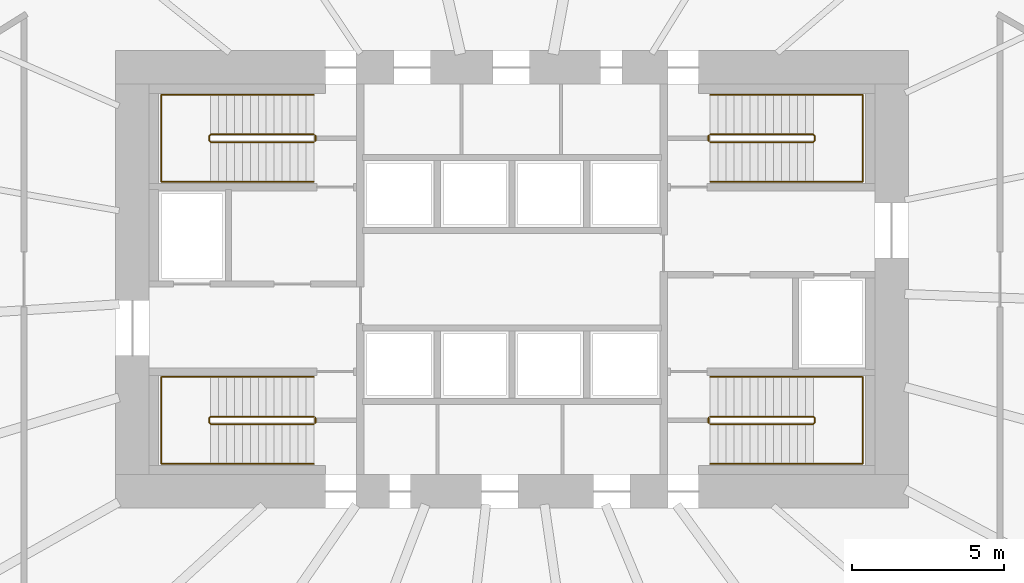
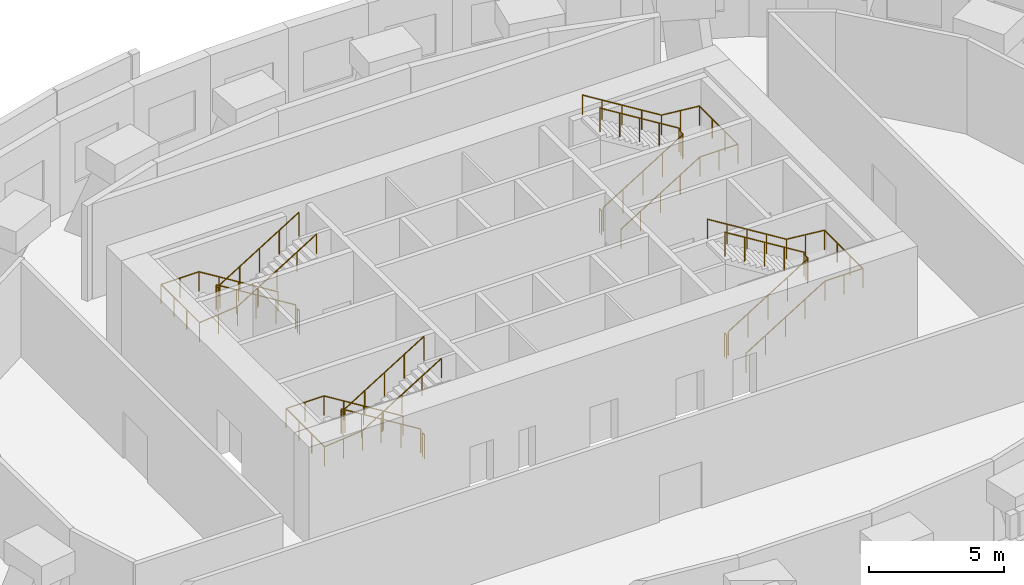
# One storey, part 9 of 9: 12 railings.
"""IFC4 building model written with IfcOpenShell, lengths in metres."""

from ifc_helpers import new_model, si_unit, direction, frame, origin, origin_2d, place, context, subcontext, project, spatial, circle, extrude, material, type_object, element, save


model = new_model("IFC4")

# Units and contexts
model_context = context("Model", 3, precision=1e-05, world=origin(), true_north=direction((0.0, 1.0)))
body_context = subcontext(model_context, "Body", "Model", "MODEL_VIEW")
ifc_project = project(units=[si_unit("LENGTHUNIT", "METRE"), si_unit("AREAUNIT", "SQUARE_METRE"), si_unit("VOLUMEUNIT", "CUBIC_METRE"), si_unit("PLANEANGLEUNIT", "RADIAN"), si_unit("MASSUNIT", "GRAM", prefix="KILO")], contexts=[model_context])

# Site, building, storey
site_placement = place(None, origin())
site = spatial("IfcSite", under=ifc_project, at=site_placement, CompositionType="ELEMENT")
building_placement = place(site_placement, origin())
building = spatial("IfcBuilding", under=site, at=building_placement, Name="Rubra Terraces Tower", CompositionType="ELEMENT")
storey_placement = place(building_placement, frame((0.0, 0.0, 77.10009765625)))
storey = spatial("IfcBuildingStorey", under=building, at=storey_placement, Name="L17", CompositionType="ELEMENT", Elevation=77.10009765625)

# Railings
ifc_material = material(Name="Stainless steel", Category="steel")
railing_type_1 = type_object("IfcRailingType", Name="Core stair guard 1100", PredefinedType="GUARDRAIL", material=ifc_material)
railing_1_placement = place(storey_placement, frame((-6.5, 0.0, 0.16064453125)))
element("IfcRailing", 1, at=railing_1_placement, inside=storey, type_object=railing_type_1, Name="L17 stair S1 guard 1", PredefinedType="GUARDRAIL", context=body_context, shape_type="SweptSolid", body=[
    extrude(circle(Radius=0.02392578125, at=origin_2d()), frame((0.0, 0.0, 1.076171875), z_axis=(-0.8505975674, 0.0, 0.525817248036), x_axis=(0.0, -1.0, 0.0)), (0.0, 0.0, 1.0), 3.9736328125),
    extrude(circle(Radius=0.02392578125, at=origin_2d()), frame((-3.3798828125, 0.0, 3.16552734375), z_axis=(-0.707106781187, -0.707106781187, 0.0), x_axis=(0.707106781187, -0.707106781187, 0.0)), (0.0, 0.0, 1.0), 0.07080078125),
    extrude(circle(Radius=0.02392578125, at=origin_2d()), frame((-3.429931640625, -0.050048828125, 3.16552734375), z_axis=(0.0, -1.0, 0.0), x_axis=(1.0, 0.0, 0.0)), (0.0, 0.0, 1.0), 0.14990234375),
    extrude(circle(Radius=0.02392578125, at=origin_2d()), frame((-3.429931640625, -0.199951171875, 3.16552734375), z_axis=(0.285103605394, -0.285103605394, 0.91511303585), x_axis=(0.707106781187, 0.707106781187, 0.0)), (0.0, 0.0, 1.0), 0.175537109375),
    extrude(circle(Radius=0.02392578125, at=origin_2d()), frame((-3.3798828125, -0.25, 3.326171875), z_axis=(0.8505975674, 0.0, 0.525817248036), x_axis=(0.0, 1.0, 0.0)), (0.0, 0.0, 1.0), 3.9736328125),
    extrude(circle(Radius=0.02099609375, at=origin_2d()), origin(), (0.0, 0.0, 1.0), 1.052001953125),
    extrude(circle(Radius=0.02099609375, at=origin_2d()), frame((-0.844970703125, 0.0, 0.5224609375)), (0.0, 0.0, 1.0), 1.052001953125),
    extrude(circle(Radius=0.02099609375, at=origin_2d()), frame((-1.68994140625, 0.0, 1.044677734375)), (0.0, 0.0, 1.0), 1.052001953125),
    extrude(circle(Radius=0.02099609375, at=origin_2d()), frame((-2.534912109375, 0.0, 1.56689453125)), (0.0, 0.0, 1.0), 1.052001953125),
    extrude(circle(Radius=0.02099609375, at=origin_2d()), frame((-3.3798828125, 0.0, 2.08935546875)), (0.0, 0.0, 1.0), 1.052001953125),
    extrude(circle(Radius=0.02099609375, at=origin_2d()), frame((-3.429931640625, -0.050048828125, 2.08935546875)), (0.0, 0.0, 1.0), 1.052001953125),
    extrude(circle(Radius=0.02099609375, at=origin_2d()), frame((-3.429931640625, -0.199951171875, 2.08935546875)), (0.0, 0.0, 1.0), 1.052001953125),
    extrude(circle(Radius=0.02099609375, at=origin_2d()), frame((-3.3798828125, -0.25, 2.25)), (0.0, 0.0, 1.0), 1.052001953125),
    extrude(circle(Radius=0.02099609375, at=origin_2d()), frame((-2.534912109375, -0.25, 2.7724609375)), (0.0, 0.0, 1.0), 1.052001953125),
    extrude(circle(Radius=0.02099609375, at=origin_2d()), frame((-1.68994140625, -0.25, 3.294677734375)), (0.0, 0.0, 1.0), 1.052001953125),
    extrude(circle(Radius=0.02099609375, at=origin_2d()), frame((-0.844970703125, -0.25, 3.81689453125)), (0.0, 0.0, 1.0), 1.052001953125),
    extrude(circle(Radius=0.02099609375, at=origin_2d()), frame((0.0, -0.25, 4.33935546875)), (0.0, 0.0, 1.0), 1.052001953125),
])
railing_2_placement = place(storey_placement, frame((-6.449951171875, -0.050048828125, 0.0)))
element("IfcRailing", 2, at=railing_2_placement, inside=storey, type_object=railing_type_1, Name="L17 stair S1 guard 2", PredefinedType="GUARDRAIL", context=body_context, shape_type="SweptSolid", body=[
    extrude(circle(Radius=0.02392578125, at=origin_2d()), frame((0.0, 0.0, 1.076171875), z_axis=(0.0, -1.0, 0.0), x_axis=(1.0, 0.0, 0.0)), (0.0, 0.0, 1.0), 0.14990234375),
    extrude(circle(Radius=0.02099609375, at=origin_2d()), origin(), (0.0, 0.0, 1.0), 1.052001953125),
    extrude(circle(Radius=0.02099609375, at=origin_2d()), frame((0.0, -0.14990234375, 0.0)), (0.0, 0.0, 1.0), 1.052001953125),
])
railing_3_placement = place(storey_placement, frame((-6.5, 9.25, 0.16064453125)))
element("IfcRailing", 3, at=railing_3_placement, inside=storey, type_object=railing_type_1, Name="L17 stair S2 guard 1", PredefinedType="GUARDRAIL", context=body_context, shape_type="SweptSolid", body=[
    extrude(circle(Radius=0.02392578125, at=origin_2d()), frame((0.0, 0.0, 1.076171875), z_axis=(-0.8505975674, 0.0, 0.525817248036), x_axis=(0.0, -1.0, 0.0)), (0.0, 0.0, 1.0), 3.9736328125),
    extrude(circle(Radius=0.02392578125, at=origin_2d()), frame((-3.3798828125, 0.0, 3.16552734375), z_axis=(-0.707106781187, -0.707106781187, 0.0), x_axis=(0.707106781187, -0.707106781187, 0.0)), (0.0, 0.0, 1.0), 0.07080078125),
    extrude(circle(Radius=0.02392578125, at=origin_2d()), frame((-3.429931640625, -0.050048828125, 3.16552734375), z_axis=(0.0, -1.0, 0.0), x_axis=(1.0, 0.0, 0.0)), (0.0, 0.0, 1.0), 0.14990234375),
    extrude(circle(Radius=0.02392578125, at=origin_2d()), frame((-3.429931640625, -0.199951171875, 3.16552734375), z_axis=(0.285103605394, -0.285103605394, 0.91511303585), x_axis=(0.707106781187, 0.707106781187, 0.0)), (0.0, 0.0, 1.0), 0.175537109375),
    extrude(circle(Radius=0.02392578125, at=origin_2d()), frame((-3.3798828125, -0.25, 3.326171875), z_axis=(0.8505975674, 0.0, 0.525817248036), x_axis=(0.0, 1.0, 0.0)), (0.0, 0.0, 1.0), 3.9736328125),
    extrude(circle(Radius=0.02099609375, at=origin_2d()), origin(), (0.0, 0.0, 1.0), 1.052001953125),
    extrude(circle(Radius=0.02099609375, at=origin_2d()), frame((-0.844970703125, 0.0, 0.5224609375)), (0.0, 0.0, 1.0), 1.052001953125),
    extrude(circle(Radius=0.02099609375, at=origin_2d()), frame((-1.68994140625, 0.0, 1.044677734375)), (0.0, 0.0, 1.0), 1.052001953125),
    extrude(circle(Radius=0.02099609375, at=origin_2d()), frame((-2.534912109375, 0.0, 1.56689453125)), (0.0, 0.0, 1.0), 1.052001953125),
    extrude(circle(Radius=0.02099609375, at=origin_2d()), frame((-3.3798828125, 0.0, 2.08935546875)), (0.0, 0.0, 1.0), 1.052001953125),
    extrude(circle(Radius=0.02099609375, at=origin_2d()), frame((-3.429931640625, -0.050048828125, 2.08935546875)), (0.0, 0.0, 1.0), 1.052001953125),
    extrude(circle(Radius=0.02099609375, at=origin_2d()), frame((-3.429931640625, -0.199951171875, 2.08935546875)), (0.0, 0.0, 1.0), 1.052001953125),
    extrude(circle(Radius=0.02099609375, at=origin_2d()), frame((-3.3798828125, -0.25, 2.25)), (0.0, 0.0, 1.0), 1.052001953125),
    extrude(circle(Radius=0.02099609375, at=origin_2d()), frame((-2.534912109375, -0.25, 2.7724609375)), (0.0, 0.0, 1.0), 1.052001953125),
    extrude(circle(Radius=0.02099609375, at=origin_2d()), frame((-1.68994140625, -0.25, 3.294677734375)), (0.0, 0.0, 1.0), 1.052001953125),
    extrude(circle(Radius=0.02099609375, at=origin_2d()), frame((-0.844970703125, -0.25, 3.81689453125)), (0.0, 0.0, 1.0), 1.052001953125),
    extrude(circle(Radius=0.02099609375, at=origin_2d()), frame((0.0, -0.25, 4.33935546875)), (0.0, 0.0, 1.0), 1.052001953125),
])
railing_4_placement = place(storey_placement, frame((-6.449951171875, 9.199951171875, 0.0)))
element("IfcRailing", 4, at=railing_4_placement, inside=storey, type_object=railing_type_1, Name="L17 stair S2 guard 2", PredefinedType="GUARDRAIL", context=body_context, shape_type="SweptSolid", body=[
    extrude(circle(Radius=0.02392578125, at=origin_2d()), frame((0.0, 0.0, 1.076171875), z_axis=(0.0, -1.0, 0.0), x_axis=(1.0, 0.0, 0.0)), (0.0, 0.0, 1.0), 0.14990234375),
    extrude(circle(Radius=0.02099609375, at=origin_2d()), origin(), (0.0, 0.0, 1.0), 1.052001953125),
    extrude(circle(Radius=0.02099609375, at=origin_2d()), frame((0.0, -0.14990234375, 0.0)), (0.0, 0.0, 1.0), 1.052001953125),
])
railing_5_placement = place(storey_placement, frame((6.5, 9.0, 0.16064453125)))
element("IfcRailing", 5, at=railing_5_placement, inside=storey, type_object=railing_type_1, Name="L17 stair S3 guard 1", PredefinedType="GUARDRAIL", context=body_context, shape_type="SweptSolid", body=[
    extrude(circle(Radius=0.02392578125, at=origin_2d()), frame((0.0, 0.0, 1.076171875), z_axis=(0.8505975674, 0.0, 0.525817248036), x_axis=(0.0, 1.0, 0.0)), (0.0, 0.0, 1.0), 3.9736328125),
    extrude(circle(Radius=0.02392578125, at=origin_2d()), frame((3.3798828125, 0.0, 3.16552734375), z_axis=(0.707106781187, 0.707106781187, 0.0), x_axis=(-0.707106781187, 0.707106781187, 0.0)), (0.0, 0.0, 1.0), 0.07080078125),
    extrude(circle(Radius=0.02392578125, at=origin_2d()), frame((3.429931640625, 0.050048828125, 3.16552734375), z_axis=(0.0, 1.0, 0.0), x_axis=(-1.0, 0.0, 0.0)), (0.0, 0.0, 1.0), 0.14990234375),
    extrude(circle(Radius=0.02392578125, at=origin_2d()), frame((3.429931640625, 0.199951171875, 3.16552734375), z_axis=(-0.285103605394, 0.285103605394, 0.91511303585), x_axis=(-0.707106781187, -0.707106781187, 0.0)), (0.0, 0.0, 1.0), 0.175537109375),
    extrude(circle(Radius=0.02392578125, at=origin_2d()), frame((3.3798828125, 0.25, 3.326171875), z_axis=(-0.8505975674, 0.0, 0.525817248036), x_axis=(0.0, -1.0, 0.0)), (0.0, 0.0, 1.0), 3.9736328125),
    extrude(circle(Radius=0.02099609375, at=origin_2d()), origin(), (0.0, 0.0, 1.0), 1.052001953125),
    extrude(circle(Radius=0.02099609375, at=origin_2d()), frame((0.844970703125, 0.0, 0.5224609375)), (0.0, 0.0, 1.0), 1.052001953125),
    extrude(circle(Radius=0.02099609375, at=origin_2d()), frame((1.68994140625, 0.0, 1.044677734375)), (0.0, 0.0, 1.0), 1.052001953125),
    extrude(circle(Radius=0.02099609375, at=origin_2d()), frame((2.534912109375, 0.0, 1.56689453125)), (0.0, 0.0, 1.0), 1.052001953125),
    extrude(circle(Radius=0.02099609375, at=origin_2d()), frame((3.3798828125, 0.0, 2.08935546875)), (0.0, 0.0, 1.0), 1.052001953125),
    extrude(circle(Radius=0.02099609375, at=origin_2d()), frame((3.429931640625, 0.050048828125, 2.08935546875)), (0.0, 0.0, 1.0), 1.052001953125),
    extrude(circle(Radius=0.02099609375, at=origin_2d()), frame((3.429931640625, 0.199951171875, 2.08935546875)), (0.0, 0.0, 1.0), 1.052001953125),
    extrude(circle(Radius=0.02099609375, at=origin_2d()), frame((3.3798828125, 0.25, 2.25)), (0.0, 0.0, 1.0), 1.052001953125),
    extrude(circle(Radius=0.02099609375, at=origin_2d()), frame((2.534912109375, 0.25, 2.7724609375)), (0.0, 0.0, 1.0), 1.052001953125),
    extrude(circle(Radius=0.02099609375, at=origin_2d()), frame((1.68994140625, 0.25, 3.294677734375)), (0.0, 0.0, 1.0), 1.052001953125),
    extrude(circle(Radius=0.02099609375, at=origin_2d()), frame((0.844970703125, 0.25, 3.81689453125)), (0.0, 0.0, 1.0), 1.052001953125),
    extrude(circle(Radius=0.02099609375, at=origin_2d()), frame((0.0, 0.25, 4.33935546875)), (0.0, 0.0, 1.0), 1.052001953125),
])
railing_6_placement = place(storey_placement, frame((6.449951171875, 9.050048828125, 0.0)))
element("IfcRailing", 6, at=railing_6_placement, inside=storey, type_object=railing_type_1, Name="L17 stair S3 guard 2", PredefinedType="GUARDRAIL", context=body_context, shape_type="SweptSolid", body=[
    extrude(circle(Radius=0.02392578125, at=origin_2d()), frame((0.0, 0.0, 1.076171875), z_axis=(0.0, 1.0, 0.0), x_axis=(-1.0, 0.0, 0.0)), (0.0, 0.0, 1.0), 0.14990234375),
    extrude(circle(Radius=0.02099609375, at=origin_2d()), origin(), (0.0, 0.0, 1.0), 1.052001953125),
    extrude(circle(Radius=0.02099609375, at=origin_2d()), frame((0.0, 0.14990234375, 0.0)), (0.0, 0.0, 1.0), 1.052001953125),
])
railing_7_placement = place(storey_placement, frame((6.5, -0.25, 0.16064453125)))
element("IfcRailing", 7, at=railing_7_placement, inside=storey, type_object=railing_type_1, Name="L17 stair S4 guard 1", PredefinedType="GUARDRAIL", context=body_context, shape_type="SweptSolid", body=[
    extrude(circle(Radius=0.02392578125, at=origin_2d()), frame((0.0, 0.0, 1.076171875), z_axis=(0.8505975674, 0.0, 0.525817248036), x_axis=(0.0, 1.0, 0.0)), (0.0, 0.0, 1.0), 3.9736328125),
    extrude(circle(Radius=0.02392578125, at=origin_2d()), frame((3.3798828125, 0.0, 3.16552734375), z_axis=(0.707106781187, 0.707106781187, 0.0), x_axis=(-0.707106781187, 0.707106781187, 0.0)), (0.0, 0.0, 1.0), 0.07080078125),
    extrude(circle(Radius=0.02392578125, at=origin_2d()), frame((3.429931640625, 0.050048828125, 3.16552734375), z_axis=(0.0, 1.0, 0.0), x_axis=(-1.0, 0.0, 0.0)), (0.0, 0.0, 1.0), 0.14990234375),
    extrude(circle(Radius=0.02392578125, at=origin_2d()), frame((3.429931640625, 0.199951171875, 3.16552734375), z_axis=(-0.285103605394, 0.285103605394, 0.91511303585), x_axis=(-0.707106781187, -0.707106781187, 0.0)), (0.0, 0.0, 1.0), 0.175537109375),
    extrude(circle(Radius=0.02392578125, at=origin_2d()), frame((3.3798828125, 0.25, 3.326171875), z_axis=(-0.8505975674, 0.0, 0.525817248036), x_axis=(0.0, -1.0, 0.0)), (0.0, 0.0, 1.0), 3.9736328125),
    extrude(circle(Radius=0.02099609375, at=origin_2d()), origin(), (0.0, 0.0, 1.0), 1.052001953125),
    extrude(circle(Radius=0.02099609375, at=origin_2d()), frame((0.844970703125, 0.0, 0.5224609375)), (0.0, 0.0, 1.0), 1.052001953125),
    extrude(circle(Radius=0.02099609375, at=origin_2d()), frame((1.68994140625, 0.0, 1.044677734375)), (0.0, 0.0, 1.0), 1.052001953125),
    extrude(circle(Radius=0.02099609375, at=origin_2d()), frame((2.534912109375, 0.0, 1.56689453125)), (0.0, 0.0, 1.0), 1.052001953125),
    extrude(circle(Radius=0.02099609375, at=origin_2d()), frame((3.3798828125, 0.0, 2.08935546875)), (0.0, 0.0, 1.0), 1.052001953125),
    extrude(circle(Radius=0.02099609375, at=origin_2d()), frame((3.429931640625, 0.050048828125, 2.08935546875)), (0.0, 0.0, 1.0), 1.052001953125),
    extrude(circle(Radius=0.02099609375, at=origin_2d()), frame((3.429931640625, 0.199951171875, 2.08935546875)), (0.0, 0.0, 1.0), 1.052001953125),
    extrude(circle(Radius=0.02099609375, at=origin_2d()), frame((3.3798828125, 0.25, 2.25)), (0.0, 0.0, 1.0), 1.052001953125),
    extrude(circle(Radius=0.02099609375, at=origin_2d()), frame((2.534912109375, 0.25, 2.7724609375)), (0.0, 0.0, 1.0), 1.052001953125),
    extrude(circle(Radius=0.02099609375, at=origin_2d()), frame((1.68994140625, 0.25, 3.294677734375)), (0.0, 0.0, 1.0), 1.052001953125),
    extrude(circle(Radius=0.02099609375, at=origin_2d()), frame((0.844970703125, 0.25, 3.81689453125)), (0.0, 0.0, 1.0), 1.052001953125),
    extrude(circle(Radius=0.02099609375, at=origin_2d()), frame((0.0, 0.25, 4.33935546875)), (0.0, 0.0, 1.0), 1.052001953125),
])
railing_8_placement = place(storey_placement, frame((6.449951171875, -0.199951171875, 0.0)))
element("IfcRailing", 8, at=railing_8_placement, inside=storey, type_object=railing_type_1, Name="L17 stair S4 guard 2", PredefinedType="GUARDRAIL", context=body_context, shape_type="SweptSolid", body=[
    extrude(circle(Radius=0.02392578125, at=origin_2d()), frame((0.0, 0.0, 1.076171875), z_axis=(0.0, 1.0, 0.0), x_axis=(-1.0, 0.0, 0.0)), (0.0, 0.0, 1.0), 0.14990234375),
    extrude(circle(Radius=0.02099609375, at=origin_2d()), origin(), (0.0, 0.0, 1.0), 1.052001953125),
    extrude(circle(Radius=0.02099609375, at=origin_2d()), frame((0.0, 0.14990234375, 0.0)), (0.0, 0.0, 1.0), 1.052001953125),
])
railing_type_2 = type_object("IfcRailingType", Name="Core stair handrail 900", PredefinedType="HANDRAIL", material=ifc_material)
railing_9_placement = place(storey_placement, frame((-6.5, 1.300048828125, 0.16064453125)))
element("IfcRailing", 9, at=railing_9_placement, inside=storey, type_object=railing_type_2, Name="L17 stair S1 handrail 1", PredefinedType="HANDRAIL", context=body_context, shape_type="SweptSolid", body=[
    extrude(circle(Radius=0.02392578125, at=origin_2d()), frame((0.0, 0.0, 0.8759765625), z_axis=(-0.8505975674, 0.0, 0.525817248036), x_axis=(0.0, -1.0, 0.0)), (0.0, 0.0, 1.0), 3.9736328125),
    extrude(circle(Radius=0.02392578125, at=origin_2d()), frame((-3.3798828125, 0.0, 2.96533203125), z_axis=(-1.0, 0.0, 0.0), x_axis=(0.0, -1.0, 0.0)), (0.0, 0.0, 1.0), 1.6201171875),
    extrude(circle(Radius=0.02392578125, at=origin_2d()), frame((-5.0, 0.0, 2.96533203125), z_axis=(0.0, -1.0, 0.0), x_axis=(1.0, 0.0, 0.0)), (0.0, 0.0, 1.0), 2.85009765625),
    extrude(circle(Radius=0.02392578125, at=origin_2d()), frame((-5.0, -2.85009765625, 2.96533203125), z_axis=(0.995119987753, 0.0, 0.098672235073), x_axis=(0.0, 1.0, 0.0)), (0.0, 0.0, 1.0), 1.628173828125),
    extrude(circle(Radius=0.02392578125, at=origin_2d()), frame((-3.3798828125, -2.85009765625, 3.1259765625), z_axis=(0.8505975674, 0.0, 0.525817248036), x_axis=(0.0, 1.0, 0.0)), (0.0, 0.0, 1.0), 3.9736328125),
    extrude(circle(Radius=0.02099609375, at=origin_2d()), origin(), (0.0, 0.0, 1.0), 0.851806640625),
    extrude(circle(Radius=0.02099609375, at=origin_2d()), frame((-0.844970703125, 0.0, 0.5224609375)), (0.0, 0.0, 1.0), 0.851806640625),
    extrude(circle(Radius=0.02099609375, at=origin_2d()), frame((-1.68994140625, 0.0, 1.044677734375)), (0.0, 0.0, 1.0), 0.851806640625),
    extrude(circle(Radius=0.02099609375, at=origin_2d()), frame((-2.534912109375, 0.0, 1.56689453125)), (0.0, 0.0, 1.0), 0.851806640625),
    extrude(circle(Radius=0.02099609375, at=origin_2d()), frame((-3.3798828125, 0.0, 2.08935546875)), (0.0, 0.0, 1.0), 0.851806640625),
    extrude(circle(Radius=0.02099609375, at=origin_2d()), frame((-4.18994140625, 0.0, 2.08935546875)), (0.0, 0.0, 1.0), 0.851806640625),
    extrude(circle(Radius=0.02099609375, at=origin_2d()), frame((-5.0, 0.0, 2.08935546875)), (0.0, 0.0, 1.0), 0.851806640625),
    extrude(circle(Radius=0.02099609375, at=origin_2d()), frame((-5.0, -0.949951171875, 2.08935546875)), (0.0, 0.0, 1.0), 0.851806640625),
    extrude(circle(Radius=0.02099609375, at=origin_2d()), frame((-5.0, -1.900146484375, 2.08935546875)), (0.0, 0.0, 1.0), 0.851806640625),
    extrude(circle(Radius=0.02099609375, at=origin_2d()), frame((-5.0, -2.85009765625, 2.08935546875)), (0.0, 0.0, 1.0), 0.851806640625),
    extrude(circle(Radius=0.02099609375, at=origin_2d()), frame((-4.18994140625, -2.85009765625, 2.169677734375)), (0.0, 0.0, 1.0), 0.851806640625),
    extrude(circle(Radius=0.02099609375, at=origin_2d()), frame((-3.3798828125, -2.85009765625, 2.25)), (0.0, 0.0, 1.0), 0.851806640625),
    extrude(circle(Radius=0.02099609375, at=origin_2d()), frame((-2.534912109375, -2.85009765625, 2.7724609375)), (0.0, 0.0, 1.0), 0.851806640625),
    extrude(circle(Radius=0.02099609375, at=origin_2d()), frame((-1.68994140625, -2.85009765625, 3.294677734375)), (0.0, 0.0, 1.0), 0.851806640625),
    extrude(circle(Radius=0.02099609375, at=origin_2d()), frame((-0.844970703125, -2.85009765625, 3.81689453125)), (0.0, 0.0, 1.0), 0.851806640625),
    extrude(circle(Radius=0.02099609375, at=origin_2d()), frame((0.0, -2.85009765625, 4.33935546875)), (0.0, 0.0, 1.0), 0.851806640625),
])
railing_10_placement = place(storey_placement, frame((-6.5, 10.550048828125, 0.16064453125)))
element("IfcRailing", 10, at=railing_10_placement, inside=storey, type_object=railing_type_2, Name="L17 stair S2 handrail 1", PredefinedType="HANDRAIL", context=body_context, shape_type="SweptSolid", body=[
    extrude(circle(Radius=0.02392578125, at=origin_2d()), frame((0.0, 0.0, 0.8759765625), z_axis=(-0.8505975674, 0.0, 0.525817248036), x_axis=(0.0, -1.0, 0.0)), (0.0, 0.0, 1.0), 3.9736328125),
    extrude(circle(Radius=0.02392578125, at=origin_2d()), frame((-3.3798828125, 0.0, 2.96533203125), z_axis=(-1.0, 0.0, 0.0), x_axis=(0.0, -1.0, 0.0)), (0.0, 0.0, 1.0), 1.6201171875),
    extrude(circle(Radius=0.02392578125, at=origin_2d()), frame((-5.0, 0.0, 2.96533203125), z_axis=(0.0, -1.0, 0.0), x_axis=(1.0, 0.0, 0.0)), (0.0, 0.0, 1.0), 2.85009765625),
    extrude(circle(Radius=0.02392578125, at=origin_2d()), frame((-5.0, -2.85009765625, 2.96533203125), z_axis=(0.995119987753, 0.0, 0.098672235073), x_axis=(0.0, 1.0, 0.0)), (0.0, 0.0, 1.0), 1.628173828125),
    extrude(circle(Radius=0.02392578125, at=origin_2d()), frame((-3.3798828125, -2.85009765625, 3.1259765625), z_axis=(0.8505975674, 0.0, 0.525817248036), x_axis=(0.0, 1.0, 0.0)), (0.0, 0.0, 1.0), 3.9736328125),
    extrude(circle(Radius=0.02099609375, at=origin_2d()), origin(), (0.0, 0.0, 1.0), 0.851806640625),
    extrude(circle(Radius=0.02099609375, at=origin_2d()), frame((-0.844970703125, 0.0, 0.5224609375)), (0.0, 0.0, 1.0), 0.851806640625),
    extrude(circle(Radius=0.02099609375, at=origin_2d()), frame((-1.68994140625, 0.0, 1.044677734375)), (0.0, 0.0, 1.0), 0.851806640625),
    extrude(circle(Radius=0.02099609375, at=origin_2d()), frame((-2.534912109375, 0.0, 1.56689453125)), (0.0, 0.0, 1.0), 0.851806640625),
    extrude(circle(Radius=0.02099609375, at=origin_2d()), frame((-3.3798828125, 0.0, 2.08935546875)), (0.0, 0.0, 1.0), 0.851806640625),
    extrude(circle(Radius=0.02099609375, at=origin_2d()), frame((-4.18994140625, 0.0, 2.08935546875)), (0.0, 0.0, 1.0), 0.851806640625),
    extrude(circle(Radius=0.02099609375, at=origin_2d()), frame((-5.0, 0.0, 2.08935546875)), (0.0, 0.0, 1.0), 0.851806640625),
    extrude(circle(Radius=0.02099609375, at=origin_2d()), frame((-5.0, -0.949951171875, 2.08935546875)), (0.0, 0.0, 1.0), 0.851806640625),
    extrude(circle(Radius=0.02099609375, at=origin_2d()), frame((-5.0, -1.900146484375, 2.08935546875)), (0.0, 0.0, 1.0), 0.851806640625),
    extrude(circle(Radius=0.02099609375, at=origin_2d()), frame((-5.0, -2.85009765625, 2.08935546875)), (0.0, 0.0, 1.0), 0.851806640625),
    extrude(circle(Radius=0.02099609375, at=origin_2d()), frame((-4.18994140625, -2.85009765625, 2.169677734375)), (0.0, 0.0, 1.0), 0.851806640625),
    extrude(circle(Radius=0.02099609375, at=origin_2d()), frame((-3.3798828125, -2.85009765625, 2.25)), (0.0, 0.0, 1.0), 0.851806640625),
    extrude(circle(Radius=0.02099609375, at=origin_2d()), frame((-2.534912109375, -2.85009765625, 2.7724609375)), (0.0, 0.0, 1.0), 0.851806640625),
    extrude(circle(Radius=0.02099609375, at=origin_2d()), frame((-1.68994140625, -2.85009765625, 3.294677734375)), (0.0, 0.0, 1.0), 0.851806640625),
    extrude(circle(Radius=0.02099609375, at=origin_2d()), frame((-0.844970703125, -2.85009765625, 3.81689453125)), (0.0, 0.0, 1.0), 0.851806640625),
    extrude(circle(Radius=0.02099609375, at=origin_2d()), frame((0.0, -2.85009765625, 4.33935546875)), (0.0, 0.0, 1.0), 0.851806640625),
])
railing_11_placement = place(storey_placement, frame((6.5, 7.699951171875, 0.16064453125)))
element("IfcRailing", 11, at=railing_11_placement, inside=storey, type_object=railing_type_2, Name="L17 stair S3 handrail 1", PredefinedType="HANDRAIL", context=body_context, shape_type="SweptSolid", body=[
    extrude(circle(Radius=0.02392578125, at=origin_2d()), frame((0.0, 0.0, 0.8759765625), z_axis=(0.8505975674, 0.0, 0.525817248036), x_axis=(0.0, 1.0, 0.0)), (0.0, 0.0, 1.0), 3.9736328125),
    extrude(circle(Radius=0.02392578125, at=origin_2d()), frame((3.3798828125, 0.0, 2.96533203125), z_axis=(1.0, 0.0, 0.0), x_axis=(0.0, 1.0, 0.0)), (0.0, 0.0, 1.0), 1.6201171875),
    extrude(circle(Radius=0.02392578125, at=origin_2d()), frame((5.0, 0.0, 2.96533203125), z_axis=(0.0, 1.0, 0.0), x_axis=(-1.0, 0.0, 0.0)), (0.0, 0.0, 1.0), 2.85009765625),
    extrude(circle(Radius=0.02392578125, at=origin_2d()), frame((5.0, 2.85009765625, 2.96533203125), z_axis=(-0.995119987753, 0.0, 0.098672235073), x_axis=(0.0, -1.0, 0.0)), (0.0, 0.0, 1.0), 1.628173828125),
    extrude(circle(Radius=0.02392578125, at=origin_2d()), frame((3.3798828125, 2.85009765625, 3.1259765625), z_axis=(-0.8505975674, 0.0, 0.525817248036), x_axis=(0.0, -1.0, 0.0)), (0.0, 0.0, 1.0), 3.9736328125),
    extrude(circle(Radius=0.02099609375, at=origin_2d()), origin(), (0.0, 0.0, 1.0), 0.851806640625),
    extrude(circle(Radius=0.02099609375, at=origin_2d()), frame((0.844970703125, 0.0, 0.5224609375)), (0.0, 0.0, 1.0), 0.851806640625),
    extrude(circle(Radius=0.02099609375, at=origin_2d()), frame((1.68994140625, 0.0, 1.044677734375)), (0.0, 0.0, 1.0), 0.851806640625),
    extrude(circle(Radius=0.02099609375, at=origin_2d()), frame((2.534912109375, 0.0, 1.56689453125)), (0.0, 0.0, 1.0), 0.851806640625),
    extrude(circle(Radius=0.02099609375, at=origin_2d()), frame((3.3798828125, 0.0, 2.08935546875)), (0.0, 0.0, 1.0), 0.851806640625),
    extrude(circle(Radius=0.02099609375, at=origin_2d()), frame((4.18994140625, 0.0, 2.08935546875)), (0.0, 0.0, 1.0), 0.851806640625),
    extrude(circle(Radius=0.02099609375, at=origin_2d()), frame((5.0, 0.0, 2.08935546875)), (0.0, 0.0, 1.0), 0.851806640625),
    extrude(circle(Radius=0.02099609375, at=origin_2d()), frame((5.0, 0.949951171875, 2.08935546875)), (0.0, 0.0, 1.0), 0.851806640625),
    extrude(circle(Radius=0.02099609375, at=origin_2d()), frame((5.0, 1.900146484375, 2.08935546875)), (0.0, 0.0, 1.0), 0.851806640625),
    extrude(circle(Radius=0.02099609375, at=origin_2d()), frame((5.0, 2.85009765625, 2.08935546875)), (0.0, 0.0, 1.0), 0.851806640625),
    extrude(circle(Radius=0.02099609375, at=origin_2d()), frame((4.18994140625, 2.85009765625, 2.169677734375)), (0.0, 0.0, 1.0), 0.851806640625),
    extrude(circle(Radius=0.02099609375, at=origin_2d()), frame((3.3798828125, 2.85009765625, 2.25)), (0.0, 0.0, 1.0), 0.851806640625),
    extrude(circle(Radius=0.02099609375, at=origin_2d()), frame((2.534912109375, 2.85009765625, 2.7724609375)), (0.0, 0.0, 1.0), 0.851806640625),
    extrude(circle(Radius=0.02099609375, at=origin_2d()), frame((1.68994140625, 2.85009765625, 3.294677734375)), (0.0, 0.0, 1.0), 0.851806640625),
    extrude(circle(Radius=0.02099609375, at=origin_2d()), frame((0.844970703125, 2.85009765625, 3.81689453125)), (0.0, 0.0, 1.0), 0.851806640625),
    extrude(circle(Radius=0.02099609375, at=origin_2d()), frame((0.0, 2.85009765625, 4.33935546875)), (0.0, 0.0, 1.0), 0.851806640625),
])
railing_12_placement = place(storey_placement, frame((6.5, -1.550048828125, 0.16064453125)))
element("IfcRailing", 12, at=railing_12_placement, inside=storey, type_object=railing_type_2, Name="L17 stair S4 handrail 1", PredefinedType="HANDRAIL", context=body_context, shape_type="SweptSolid", body=[
    extrude(circle(Radius=0.02392578125, at=origin_2d()), frame((0.0, 0.0, 0.8759765625), z_axis=(0.8505975674, 0.0, 0.525817248036), x_axis=(0.0, 1.0, 0.0)), (0.0, 0.0, 1.0), 3.9736328125),
    extrude(circle(Radius=0.02392578125, at=origin_2d()), frame((3.3798828125, 0.0, 2.96533203125), z_axis=(1.0, 0.0, 0.0), x_axis=(0.0, 1.0, 0.0)), (0.0, 0.0, 1.0), 1.6201171875),
    extrude(circle(Radius=0.02392578125, at=origin_2d()), frame((5.0, 0.0, 2.96533203125), z_axis=(0.0, 1.0, 0.0), x_axis=(-1.0, 0.0, 0.0)), (0.0, 0.0, 1.0), 2.85009765625),
    extrude(circle(Radius=0.02392578125, at=origin_2d()), frame((5.0, 2.85009765625, 2.96533203125), z_axis=(-0.995119987753, 0.0, 0.098672235073), x_axis=(0.0, -1.0, 0.0)), (0.0, 0.0, 1.0), 1.628173828125),
    extrude(circle(Radius=0.02392578125, at=origin_2d()), frame((3.3798828125, 2.85009765625, 3.1259765625), z_axis=(-0.8505975674, 0.0, 0.525817248036), x_axis=(0.0, -1.0, 0.0)), (0.0, 0.0, 1.0), 3.9736328125),
    extrude(circle(Radius=0.02099609375, at=origin_2d()), origin(), (0.0, 0.0, 1.0), 0.851806640625),
    extrude(circle(Radius=0.02099609375, at=origin_2d()), frame((0.844970703125, 0.0, 0.5224609375)), (0.0, 0.0, 1.0), 0.851806640625),
    extrude(circle(Radius=0.02099609375, at=origin_2d()), frame((1.68994140625, 0.0, 1.044677734375)), (0.0, 0.0, 1.0), 0.851806640625),
    extrude(circle(Radius=0.02099609375, at=origin_2d()), frame((2.534912109375, 0.0, 1.56689453125)), (0.0, 0.0, 1.0), 0.851806640625),
    extrude(circle(Radius=0.02099609375, at=origin_2d()), frame((3.3798828125, 0.0, 2.08935546875)), (0.0, 0.0, 1.0), 0.851806640625),
    extrude(circle(Radius=0.02099609375, at=origin_2d()), frame((4.18994140625, 0.0, 2.08935546875)), (0.0, 0.0, 1.0), 0.851806640625),
    extrude(circle(Radius=0.02099609375, at=origin_2d()), frame((5.0, 0.0, 2.08935546875)), (0.0, 0.0, 1.0), 0.851806640625),
    extrude(circle(Radius=0.02099609375, at=origin_2d()), frame((5.0, 0.949951171875, 2.08935546875)), (0.0, 0.0, 1.0), 0.851806640625),
    extrude(circle(Radius=0.02099609375, at=origin_2d()), frame((5.0, 1.900146484375, 2.08935546875)), (0.0, 0.0, 1.0), 0.851806640625),
    extrude(circle(Radius=0.02099609375, at=origin_2d()), frame((5.0, 2.85009765625, 2.08935546875)), (0.0, 0.0, 1.0), 0.851806640625),
    extrude(circle(Radius=0.02099609375, at=origin_2d()), frame((4.18994140625, 2.85009765625, 2.169677734375)), (0.0, 0.0, 1.0), 0.851806640625),
    extrude(circle(Radius=0.02099609375, at=origin_2d()), frame((3.3798828125, 2.85009765625, 2.25)), (0.0, 0.0, 1.0), 0.851806640625),
    extrude(circle(Radius=0.02099609375, at=origin_2d()), frame((2.534912109375, 2.85009765625, 2.7724609375)), (0.0, 0.0, 1.0), 0.851806640625),
    extrude(circle(Radius=0.02099609375, at=origin_2d()), frame((1.68994140625, 2.85009765625, 3.294677734375)), (0.0, 0.0, 1.0), 0.851806640625),
    extrude(circle(Radius=0.02099609375, at=origin_2d()), frame((0.844970703125, 2.85009765625, 3.81689453125)), (0.0, 0.0, 1.0), 0.851806640625),
    extrude(circle(Radius=0.02099609375, at=origin_2d()), frame((0.0, 2.85009765625, 4.33935546875)), (0.0, 0.0, 1.0), 0.851806640625),
])

save(model, "model.ifc")
